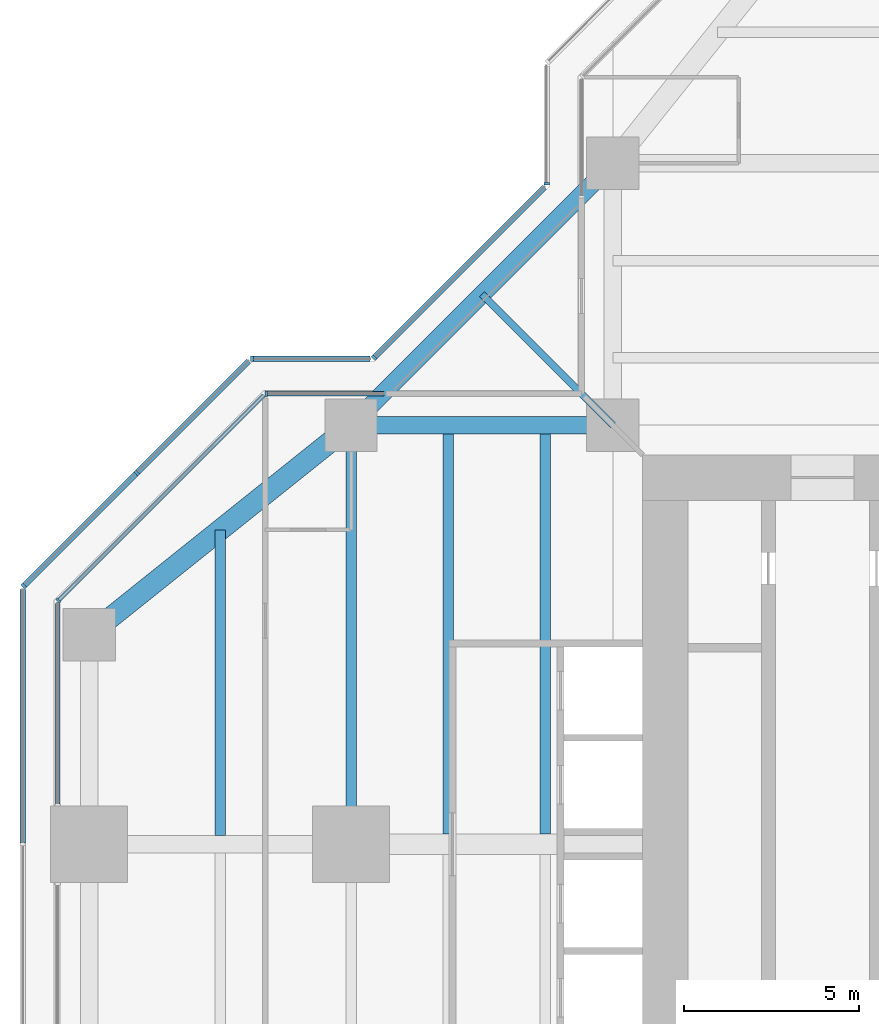
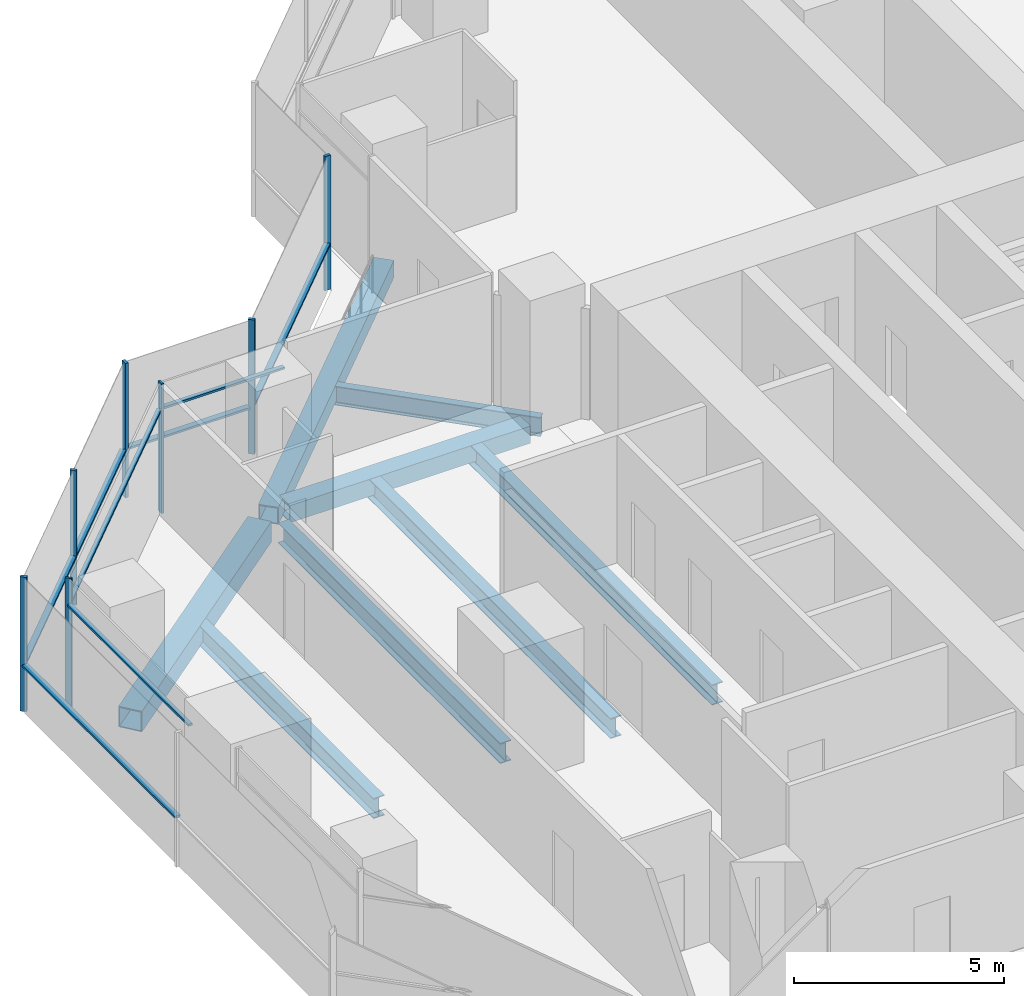
# One storey, part 6 of 17: 15 members, 8 beams, 8 elements without a shape of their own.
"""IFC4 building model written with IfcOpenShell, lengths in metres."""

from ifc_helpers import new_model, si_unit, direction, frame, origin, origin_2d, place, context, subcontext, project, spatial, rectangle, hollow_rectangle, i_section, extrude, material, material_profile, profile_set, type_object, element, aggregate, save


model = new_model("IFC4")

# Units and contexts
model_context = context("Model", 3, precision=1e-05, world=origin(), true_north=direction((0.0, 1.0)))
body_context = subcontext(model_context, "Body", "Model", "MODEL_VIEW")
ifc_project = project(units=[si_unit("LENGTHUNIT", "METRE"), si_unit("AREAUNIT", "SQUARE_METRE"), si_unit("VOLUMEUNIT", "CUBIC_METRE"), si_unit("PLANEANGLEUNIT", "RADIAN"), si_unit("MASSUNIT", "GRAM", prefix="KILO")], contexts=[model_context])

# Site, building, storey
site_placement = place(None, origin())
site = spatial("IfcSite", under=ifc_project, at=site_placement, CompositionType="ELEMENT")
building_placement = place(site_placement, origin())
building = spatial("IfcBuilding", under=site, at=building_placement, Name="Mizan Broadcast Tower", CompositionType="ELEMENT")
storey_placement = place(building_placement, frame((0.0, 0.0, 240.0)))
storey = spatial("IfcBuildingStorey", under=building, at=storey_placement, Name="L56", CompositionType="ELEMENT", Elevation=240.0)

# Beams
ifc_material_1 = material(Name="Steel S355", Category="steel")
ifc_material_profile_1 = material_profile(ifc_material_1, hollow_rectangle(XDim=0.5, YDim=0.5, WallThickness=0.030029296875, at=origin_2d()), Name="BOX 500x500x30")
ifc_profile_set_1 = profile_set([ifc_material_profile_1], Name="Steel S355")
beam_type_1 = type_object("IfcBeamType", Name="EDGE BEAM BOX 500x500x30", PredefinedType="SPANDREL", material=ifc_profile_set_1)
beam_1_placement = place(storey_placement, frame((-12.449951171875, 12.0, -0.3798828125), z_axis=(-1.0, 0.0, 0.0), x_axis=(0.0, -1.0, 0.0)))
element("IfcBeam", 1, at=beam_1_placement, inside=storey, type_object=beam_type_1, Name="Edge beam BOX 500x500x30 L56 west arm", PredefinedType="SPANDREL", context=body_context, shape_type="SweptSolid", body=[
    extrude(hollow_rectangle(XDim=0.5, YDim=0.5, WallThickness=0.030029296875, at=origin_2d()), origin(), (0.0, 0.0, 1.0), 6.60009765625),
])
beam_2_placement = place(storey_placement, frame((-12.0, 19.5, -0.3798828125), z_axis=(-0.707106781187, -0.707106781187, 0.0), x_axis=(0.707106781187, -0.707106781187, 0.0)))
element("IfcBeam", 2, at=beam_2_placement, inside=storey, type_object=beam_type_1, Name="Winter garden edge beam L56 N", PredefinedType="SPANDREL", context=body_context, shape_type="SweptSolid", body=[
    extrude(hollow_rectangle(XDim=0.5, YDim=0.5, WallThickness=0.030029296875, at=origin_2d()), origin(), (0.0, 0.0, 1.0), 10.606689453125),
])
ifc_material_2 = material(Name="Steel S355", Category="steel")
ifc_material_profile_2 = material_profile(ifc_material_2, hollow_rectangle(XDim=0.60009765625, YDim=0.60009765625, WallThickness=0.030029296875, at=origin_2d()), Name="BOX 600x600x30")
ifc_profile_set_2 = profile_set([ifc_material_profile_2], Name="Steel S355")
beam_type_2 = type_object("IfcBeamType", Name="EDGE BEAM BOX 600x600x30", PredefinedType="SPANDREL", material=ifc_profile_set_2)
beam_3_placement = place(storey_placement, frame((-19.949951171875, 11.639892578125, -0.429931640625), z_axis=(-0.780885717636, -0.624673911726, 0.0), x_axis=(0.624673911726, -0.780885717636, 0.0)))
element("IfcBeam", 3, at=beam_3_placement, inside=storey, type_object=beam_type_2, Name="Edge beam BOX 600x600x30 L56 west arm", PredefinedType="SPANDREL", context=body_context, shape_type="SweptSolid", body=[
    extrude(hollow_rectangle(XDim=0.60009765625, YDim=0.60009765625, WallThickness=0.030029296875, at=origin_2d()), origin(), (0.0, 0.0, 1.0), 8.4521484375),
])
ifc_material_3 = material(Name="Steel S355", Category="steel")
ifc_material_profile_3 = material_profile(ifc_material_3, i_section(OverallWidth=0.300048828125, OverallDepth=0.590087890625, WebThickness=0.012939453125, FlangeThickness=0.02490234375, FilletRadius=0.027099609375, at=origin_2d()), Name="HEA 600")
ifc_profile_set_3 = profile_set([ifc_material_profile_3], Name="Steel S355")
beam_type_3 = type_object("IfcBeamType", Name="GIRDER HEA 600", PredefinedType="BEAM", material=ifc_profile_set_3)
beam_4_placement = place(storey_placement, frame((-19.5, 11.280029296875, -0.425048828125), z_axis=(0.0, -1.0, 0.0), x_axis=(1.0, 0.0, 0.0)))
element("IfcBeam", 4, at=beam_4_placement, inside=storey, type_object=beam_type_3, Name="Girder HEA 600 L56 west arm", PredefinedType="BEAM", context=body_context, shape_type="SweptSolid", body=[
    extrude(i_section(OverallWidth=0.300048828125, OverallDepth=0.590087890625, WebThickness=0.012939453125, FlangeThickness=0.02490234375, FilletRadius=0.027099609375, at=origin_2d()), origin(), (0.0, 0.0, 1.0), 10.56005859375),
])

# Curtain wall, member
ifc_material_4 = material(Name="Aluminium framed glazing", Category="aluminium")
curtain_wall_type_1 = type_object("IfcCurtainWallType", Name="INNER SKIN HIGH ZONE", PredefinedType="USERDEFINED", material=ifc_material_4)
curtain_wall_1_placement = place(storey_placement, origin())
curtain_wall_1 = element("IfcCurtainWall", 5, at=curtain_wall_1_placement, inside=storey, type_object=curtain_wall_type_1, Name="Inner skin high zone L56 W side", ObjectType="INNER SKIN HIGH ZONE", PredefinedType="USERDEFINED")
ifc_material_5 = material(Name="Aluminium, pale anodised", Category="aluminium")
ifc_material_profile_4 = material_profile(ifc_material_5, rectangle(XDim=0.159912109375, YDim=0.06005859375, at=origin_2d()), Name="MULLION 160x60")
ifc_profile_set_4 = profile_set([ifc_material_profile_4], Name="Aluminium, pale anodised")
member_type_1 = type_object("IfcMemberType", Name="INNER SKIN MULLION 60x160", PredefinedType="MULLION", material=ifc_profile_set_4)
member_1_placement = place(storey_placement, frame((-21.928466796875, 12.89990234375, 0.0), z_axis=(0.0, 0.0, 1.0), x_axis=(0.0, -1.0, 0.0)))
member_1 = element("IfcMember", 6, at=member_1_placement, type_object=member_type_1, Name="Inner skin high zone L56 W side mullion 2", PredefinedType="MULLION", context=body_context, shape_type="SweptSolid", body=[
    extrude(rectangle(XDim=0.159912109375, YDim=0.06005859375, at=origin_2d()), origin(), (0.0, 0.0, 1.0), 3.77001953125),
])

curtain_wall_2_placement = place(storey_placement, origin())
curtain_wall_2 = element("IfcCurtainWall", 7, at=curtain_wall_2_placement, inside=storey, type_object=curtain_wall_type_1, Name="Inner skin high zone L56 W chamfer", ObjectType="INNER SKIN HIGH ZONE", PredefinedType="USERDEFINED")
member_2_placement = place(storey_placement, frame((-27.87890625, 6.979736328125, 0.0), z_axis=(0.0, 0.0, 1.0), x_axis=(0.707106781187, -0.707106781187, 0.0)))
member_2 = element("IfcMember", 8, at=member_2_placement, type_object=member_type_1, Name="Inner skin high zone L56 W chamfer mullion 2", PredefinedType="MULLION", context=body_context, shape_type="SweptSolid", body=[
    extrude(rectangle(XDim=0.159912109375, YDim=0.06005859375, at=origin_2d()), origin(), (0.0, 0.0, 1.0), 3.77001953125),
])

# Member
ifc_material_6 = material(Name="Aluminium, pale anodised", Category="aluminium")
ifc_material_profile_5 = material_profile(ifc_material_6, rectangle(XDim=0.1201171875, YDim=0.06005859375, at=origin_2d()), Name="TRANSOM 120x60")
ifc_profile_set_5 = profile_set([ifc_material_profile_5], Name="Aluminium, pale anodised")
member_type_2 = type_object("IfcMemberType", Name="INNER SKIN TRANSOM 60x120", PredefinedType="USERDEFINED", material=ifc_profile_set_5)
member_3_placement = place(storey_placement, frame((-18.56005859375, 12.89990234375, 3.030029296875), z_axis=(-1.0, 0.0, 0.0), x_axis=(0.0, -1.0, 0.0)))
member_3 = element("IfcMember", 9, at=member_3_placement, type_object=member_type_2, Name="Inner skin high zone L56 W side transom 1.1", ObjectType="TRANSOM", PredefinedType="USERDEFINED", context=body_context, shape_type="SweptSolid", body=[
    extrude(rectangle(XDim=0.1201171875, YDim=0.06005859375, at=origin_2d()), origin(), (0.0, 0.0, 1.0), 3.338623046875),
])

aggregate(curtain_wall_1, [member_1, member_3])

member_4_placement = place(storey_placement, frame((-22.0009765625, 12.857666015625, 3.030029296875), z_axis=(-0.707106781187, -0.707106781187, 0.0), x_axis=(0.707106781187, -0.707106781187, 0.0)))
member_4 = element("IfcMember", 10, at=member_4_placement, type_object=member_type_2, Name="Inner skin high zone L56 W chamfer transom 1.1", ObjectType="TRANSOM", PredefinedType="USERDEFINED", context=body_context, shape_type="SweptSolid", body=[
    extrude(rectangle(XDim=0.1201171875, YDim=0.06005859375, at=origin_2d()), origin(), (0.0, 0.0, 1.0), 8.28271484375),
])

aggregate(curtain_wall_2, [member_2, member_4])

# Curtain wall, member
curtain_wall_3_placement = place(storey_placement, origin())
curtain_wall_3 = element("IfcCurtainWall", 11, at=curtain_wall_3_placement, inside=storey, type_object=curtain_wall_type_1, Name="Inner skin high zone L56 W end", ObjectType="INNER SKIN HIGH ZONE", PredefinedType="USERDEFINED")
member_5_placement = place(storey_placement, frame((-27.89990234375, 6.898681640625, 3.030029296875), z_axis=(0.0, -1.0, 0.0), x_axis=(1.0, 0.0, 0.0)))
member_5 = element("IfcMember", 12, at=member_5_placement, type_object=member_type_2, Name="Inner skin high zone L56 W end transom 1.1", ObjectType="TRANSOM", PredefinedType="USERDEFINED", context=body_context, shape_type="SweptSolid", body=[
    extrude(rectangle(XDim=0.1201171875, YDim=0.06005859375, at=origin_2d()), origin(), (0.0, 0.0, 1.0), 5.73876953125),
])
aggregate(curtain_wall_3, [member_5])

ifc_material_7 = material(Name="Aluminium framed glazing", Category="aluminium")
curtain_wall_type_2 = type_object("IfcCurtainWallType", Name="OUTER SKIN", PredefinedType="USERDEFINED", material=ifc_material_7)
curtain_wall_4_placement = place(storey_placement, origin())
curtain_wall_4 = element("IfcCurtainWall", 13, at=curtain_wall_4_placement, inside=storey, type_object=curtain_wall_type_2, Name="Outer skin L56 N side", ObjectType="OUTER SKIN", PredefinedType="USERDEFINED")
ifc_material_8 = material(Name="Aluminium, pale anodised", Category="aluminium")
ifc_material_profile_6 = material_profile(ifc_material_8, rectangle(XDim=0.159912109375, YDim=0.080078125, at=origin_2d()), Name="MULLION 160x80")
ifc_profile_set_6 = profile_set([ifc_material_profile_6], Name="Aluminium, pale anodised")
member_type_3 = type_object("IfcMemberType", Name="OUTER SKIN MULLION 80x160", PredefinedType="MULLION", material=ifc_profile_set_6)
member_6_placement = place(storey_placement, frame((-13.89990234375, 18.912841796875, 0.0), z_axis=(0.0, 0.0, 1.0), x_axis=(1.0, 0.0, 0.0)))
member_6 = element("IfcMember", 14, at=member_6_placement, type_object=member_type_3, Name="Outer skin L56 N side mullion 2", PredefinedType="MULLION", context=body_context, shape_type="SweptSolid", body=[
    extrude(rectangle(XDim=0.159912109375, YDim=0.080078125, at=origin_2d()), origin(), (0.0, 0.0, 1.0), 3.89990234375),
])
aggregate(curtain_wall_4, [member_6])

curtain_wall_5_placement = place(storey_placement, origin())
curtain_wall_5 = element("IfcCurtainWall", 15, at=curtain_wall_5_placement, inside=storey, type_object=curtain_wall_type_2, Name="Outer skin L56 W chamfer", ObjectType="OUTER SKIN", PredefinedType="USERDEFINED")
member_7_placement = place(storey_placement, frame((-18.844482421875, 13.92822265625, 0.0), z_axis=(0.0, 0.0, 1.0), x_axis=(0.707106781187, -0.707106781187, 0.0)))
member_7 = element("IfcMember", 16, at=member_7_placement, type_object=member_type_3, Name="Outer skin L56 W chamfer mullion 2", PredefinedType="MULLION", context=body_context, shape_type="SweptSolid", body=[
    extrude(rectangle(XDim=0.159912109375, YDim=0.080078125, at=origin_2d()), origin(), (0.0, 0.0, 1.0), 3.89990234375),
])

curtain_wall_6_placement = place(storey_placement, origin())
curtain_wall_6 = element("IfcCurtainWall", 17, at=curtain_wall_6_placement, inside=storey, type_object=curtain_wall_type_2, Name="Outer skin L56 W side", ObjectType="OUTER SKIN", PredefinedType="USERDEFINED")
member_8_placement = place(storey_placement, frame((-22.332763671875, 13.89990234375, 0.0), z_axis=(0.0, 0.0, 1.0), x_axis=(0.0, -1.0, 0.0)))
member_8 = element("IfcMember", 18, at=member_8_placement, type_object=member_type_3, Name="Outer skin L56 W side mullion 2", PredefinedType="MULLION", context=body_context, shape_type="SweptSolid", body=[
    extrude(rectangle(XDim=0.159912109375, YDim=0.080078125, at=origin_2d()), origin(), (0.0, 0.0, 1.0), 3.89990234375),
])

# Curtain wall, members
curtain_wall_7_placement = place(storey_placement, origin())
curtain_wall_7 = element("IfcCurtainWall", 19, at=curtain_wall_7_placement, inside=storey, type_object=curtain_wall_type_2, Name="Outer skin L56 W chamfer", ObjectType="OUTER SKIN", PredefinedType="USERDEFINED")
member_9_placement = place(storey_placement, frame((-25.636474609375, 10.636474609375, 0.0), z_axis=(0.0, 0.0, 1.0), x_axis=(0.707106781187, -0.707106781187, 0.0)))
member_9 = element("IfcMember", 20, at=member_9_placement, type_object=member_type_3, Name="Outer skin L56 W chamfer mullion 2", PredefinedType="MULLION", context=body_context, shape_type="SweptSolid", body=[
    extrude(rectangle(XDim=0.159912109375, YDim=0.080078125, at=origin_2d()), origin(), (0.0, 0.0, 1.0), 3.89990234375),
])
member_10_placement = place(storey_placement, frame((-28.871826171875, 7.401123046875, 0.0), z_axis=(0.0, 0.0, 1.0), x_axis=(0.707106781187, -0.707106781187, 0.0)))
member_10 = element("IfcMember", 21, at=member_10_placement, type_object=member_type_3, Name="Outer skin L56 W chamfer mullion 3", PredefinedType="MULLION", context=body_context, shape_type="SweptSolid", body=[
    extrude(rectangle(XDim=0.159912109375, YDim=0.080078125, at=origin_2d()), origin(), (0.0, 0.0, 1.0), 3.89990234375),
])

# Member
ifc_material_9 = material(Name="Aluminium, pale anodised", Category="aluminium")
ifc_material_profile_7 = material_profile(ifc_material_9, rectangle(XDim=0.159912109375, YDim=0.06005859375, at=origin_2d()), Name="TRANSOM 160x60")
ifc_profile_set_7 = profile_set([ifc_material_profile_7], Name="Aluminium, pale anodised")
member_type_4 = type_object("IfcMemberType", Name="OUTER SKIN TRANSOM 60x160", PredefinedType="USERDEFINED", material=ifc_profile_set_7)
member_11_placement = place(storey_placement, frame((-13.95654296875, 18.816162109375, 1.39990234375), z_axis=(-0.707106781187, -0.707106781187, 0.0), x_axis=(0.707106781187, -0.707106781187, 0.0)))
member_11 = element("IfcMember", 22, at=member_11_placement, type_object=member_type_4, Name="Outer skin L56 W chamfer transom 1.1", ObjectType="TRANSOM", PredefinedType="USERDEFINED", context=body_context, shape_type="SweptSolid", body=[
    extrude(rectangle(XDim=0.159912109375, YDim=0.06005859375, at=origin_2d()), origin(), (0.0, 0.0, 1.0), 6.87255859375),
])

aggregate(curtain_wall_5, [member_7, member_11])

member_12_placement = place(storey_placement, frame((-18.952880859375, 13.89990234375, 1.39990234375), z_axis=(-1.0, 0.0, 0.0), x_axis=(0.0, -1.0, 0.0)))
member_12 = element("IfcMember", 23, at=member_12_placement, type_object=member_type_4, Name="Outer skin L56 W side transom 1.1", ObjectType="TRANSOM", PredefinedType="USERDEFINED", context=body_context, shape_type="SweptSolid", body=[
    extrude(rectangle(XDim=0.159912109375, YDim=0.06005859375, at=origin_2d()), origin(), (0.0, 0.0, 1.0), 3.33984375),
])

aggregate(curtain_wall_6, [member_8, member_12])

member_13_placement = place(storey_placement, frame((-22.429443359375, 13.843505859375, 1.39990234375), z_axis=(-0.707106781187, -0.707106781187, 0.0), x_axis=(0.707106781187, -0.707106781187, 0.0)))
member_13 = element("IfcMember", 24, at=member_13_placement, type_object=member_type_4, Name="Outer skin L56 W chamfer transom 1.1", ObjectType="TRANSOM", PredefinedType="USERDEFINED", context=body_context, shape_type="SweptSolid", body=[
    extrude(rectangle(XDim=0.159912109375, YDim=0.06005859375, at=origin_2d()), origin(), (0.0, 0.0, 1.0), 4.495361328125),
])

member_14_placement = place(storey_placement, frame((-25.664794921875, 10.608154296875, 1.39990234375), z_axis=(-0.707106781187, -0.707106781187, 0.0), x_axis=(0.707106781187, -0.707106781187, 0.0)))
member_14 = element("IfcMember", 25, at=member_14_placement, type_object=member_type_4, Name="Outer skin L56 W chamfer transom 2.1", ObjectType="TRANSOM", PredefinedType="USERDEFINED", context=body_context, shape_type="SweptSolid", body=[
    extrude(rectangle(XDim=0.159912109375, YDim=0.06005859375, at=origin_2d()), origin(), (0.0, 0.0, 1.0), 4.495361328125),
])

aggregate(curtain_wall_7, [member_9, member_10, member_13, member_14])

# Curtain wall, member
curtain_wall_8_placement = place(storey_placement, origin())
curtain_wall_8 = element("IfcCurtainWall", 26, at=curtain_wall_8_placement, inside=storey, type_object=curtain_wall_type_2, Name="Outer skin L56 W end", ObjectType="OUTER SKIN", PredefinedType="USERDEFINED")
member_15_placement = place(storey_placement, frame((-28.89990234375, 7.292724609375, 1.39990234375), z_axis=(0.0, -1.0, 0.0), x_axis=(1.0, 0.0, 0.0)))
member_15 = element("IfcMember", 27, at=member_15_placement, type_object=member_type_4, Name="Outer skin L56 W end transom 1.1", ObjectType="TRANSOM", PredefinedType="USERDEFINED", context=body_context, shape_type="SweptSolid", body=[
    extrude(rectangle(XDim=0.159912109375, YDim=0.06005859375, at=origin_2d()), origin(), (0.0, 0.0, 1.0), 7.252685546875),
])
aggregate(curtain_wall_8, [member_15])

# Beams
ifc_material_10 = material(Name="Steel S355", Category="steel")
ifc_material_profile_8 = material_profile(ifc_material_10, i_section(OverallWidth=0.300048828125, OverallDepth=0.590087890625, WebThickness=0.012939453125, FlangeThickness=0.02490234375, FilletRadius=0.027099609375, at=origin_2d()), Name="HEA 600")
ifc_profile_set_8 = profile_set([ifc_material_profile_8], Name="Steel S355")
beam_type_4 = type_object("IfcBeamType", Name="SECONDARY BEAM HEA 600", PredefinedType="JOIST", material=ifc_profile_set_8)
for number, where, z_axis, x_axis, name in (
    (28, (-13.933349609375, 12.0, -0.425048828125), (0.0, -1.0, 0.0), (1.0, 0.0, 0.0), "Secondary beam HEA 600 L56 west arm"),
    (29, (-16.716552734375, 12.0, -0.425048828125), (0.0, -1.0, 0.0), (1.0, 0.0, 0.0), "Secondary beam HEA 600 L56 west arm"),
):
    element("IfcBeam", number, at=place(storey_placement, frame(where, z_axis=z_axis, x_axis=x_axis)), inside=storey, type_object=beam_type_4, Name=name, PredefinedType="JOIST", context=body_context, shape_type="SweptSolid", body=[
        extrude(i_section(OverallWidth=0.300048828125, OverallDepth=0.590087890625, WebThickness=0.012939453125, FlangeThickness=0.02490234375, FilletRadius=0.027099609375, at=origin_2d()), origin(), (0.0, 0.0, 1.0), 11.699951171875),
    ])
beam_5_placement = place(storey_placement, frame((-23.25, 9.0, -0.425048828125), z_axis=(0.0, -1.0, 0.0), x_axis=(1.0, 0.0, 0.0)))
element("IfcBeam", 30, at=beam_5_placement, inside=storey, type_object=beam_type_4, Name="Secondary beam HEA 600 L56 west arm", PredefinedType="JOIST", context=body_context, shape_type="SweptSolid", body=[
    extrude(i_section(OverallWidth=0.300048828125, OverallDepth=0.590087890625, WebThickness=0.012939453125, FlangeThickness=0.02490234375, FilletRadius=0.027099609375, at=origin_2d()), origin(), (0.0, 0.0, 1.0), 8.75),
])
ifc_material_11 = material(Name="Steel S355", Category="steel")
ifc_material_profile_9 = material_profile(ifc_material_11, i_section(OverallWidth=0.2099609375, OverallDepth=0.550048828125, WebThickness=0.010986328125, FlangeThickness=0.01708984375, FilletRadius=0.02392578125, at=origin_2d()), Name="IPE 550")
ifc_profile_set_9 = profile_set([ifc_material_profile_9], Name="Steel S355")
beam_type_5 = type_object("IfcBeamType", Name="SECONDARY BEAM IPE 550", PredefinedType="JOIST", material=ifc_profile_set_9)
beam_6_placement = place(storey_placement, frame((-12.0, 12.0, -0.405029296875), z_axis=(-0.707106781187, 0.707106781187, 0.0), x_axis=(-0.707106781187, -0.707106781187, 0.0)))
element("IfcBeam", 31, at=beam_6_placement, inside=storey, type_object=beam_type_5, Name="Winter garden beam L56 N", PredefinedType="JOIST", context=body_context, shape_type="SweptSolid", body=[
    extrude(i_section(OverallWidth=0.2099609375, OverallDepth=0.550048828125, WebThickness=0.010986328125, FlangeThickness=0.01708984375, FilletRadius=0.02392578125, at=origin_2d()), origin(), (0.0, 0.0, 1.0), 5.30322265625),
])

save(model, "model.ifc")
